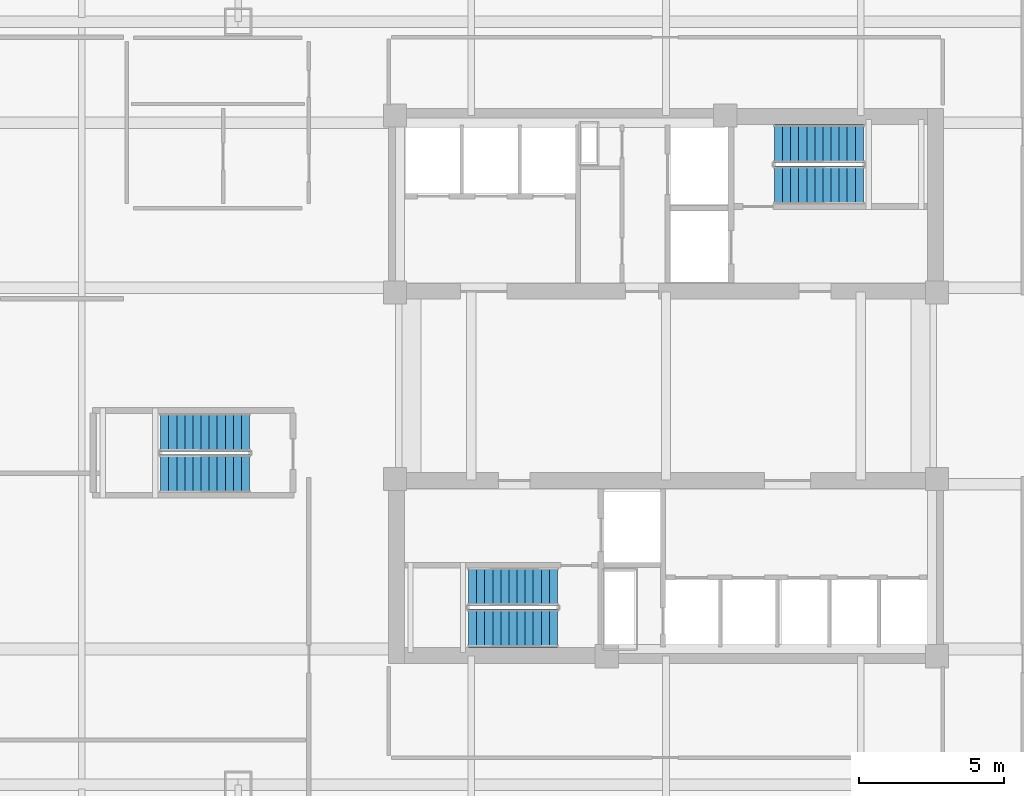
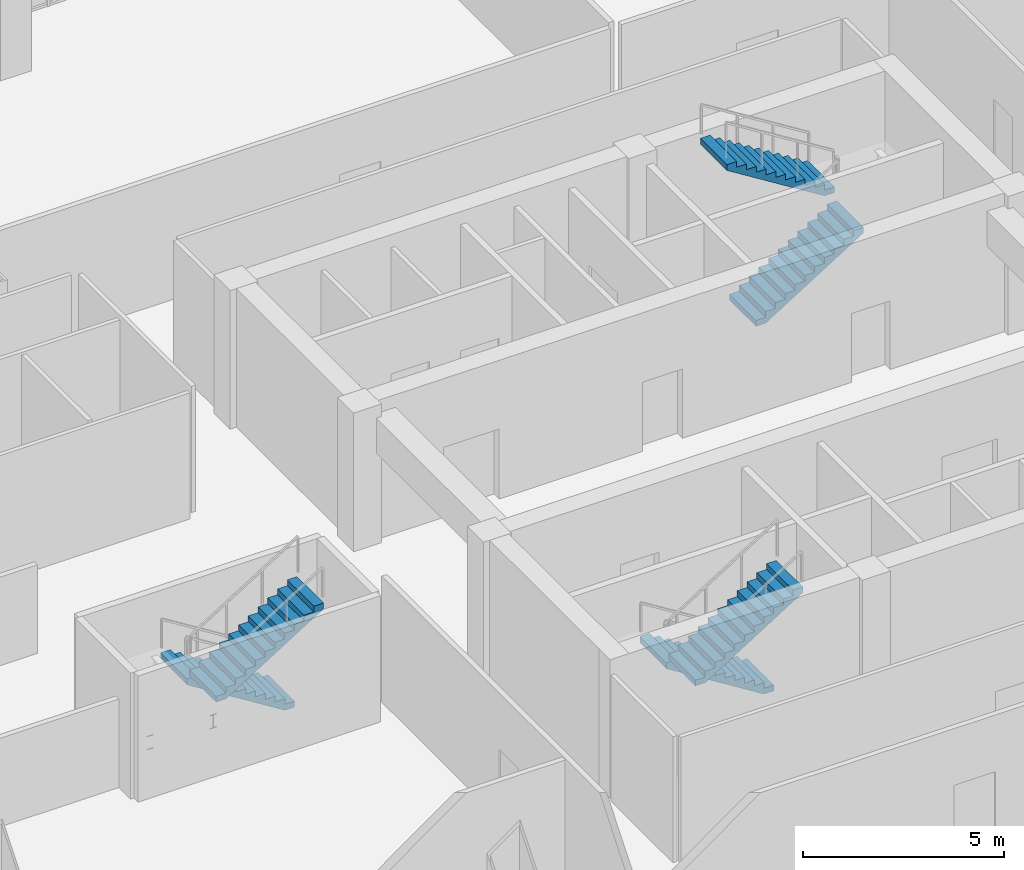
# One storey, part 15 of 21: 6 stair flights, 3 elements without a shape of their own.
"""IFC4 building model written with IfcOpenShell, lengths in metres."""

from ifc_helpers import new_model, si_unit, direction, frame, origin, place, context, subcontext, project, spatial, polyline, outline, extrude, material, type_object, element, aggregate, save


model = new_model("IFC4")

# Units and contexts
model_context = context("Model", 3, precision=1e-05, world=origin(), true_north=direction((0.0, 1.0)))
body_context = subcontext(model_context, "Body", "Model", "MODEL_VIEW")
ifc_project = project(units=[si_unit("LENGTHUNIT", "METRE"), si_unit("AREAUNIT", "SQUARE_METRE"), si_unit("VOLUMEUNIT", "CUBIC_METRE"), si_unit("PLANEANGLEUNIT", "RADIAN"), si_unit("MASSUNIT", "GRAM", prefix="KILO")], contexts=[model_context])

# Site, building, storey
site_placement = place(None, origin())
site = spatial("IfcSite", under=ifc_project, at=site_placement, CompositionType="ELEMENT")
building_placement = place(site_placement, origin())
building = spatial("IfcBuilding", under=site, at=building_placement, Name="Qhalaya Broadcast Tower", CompositionType="ELEMENT")
storey_placement = place(building_placement, frame((0.0, 0.0, 17.699951171875)))
storey = spatial("IfcBuildingStorey", under=building, at=storey_placement, Name="L04", CompositionType="ELEMENT", Elevation=17.699951171875)

# Stair, stair flights
ifc_material_1 = material(Name="Concrete C40/50", Category="concrete")
stair_type = type_object("IfcStairType", Name="Protected Dogleg Core Stair 4200", PredefinedType="TWO_STRAIGHT_RUN_STAIR", material=ifc_material_1)
stair_1_placement = place(storey_placement, origin())
stair_1 = element("IfcStair", 1, at=stair_1_placement, inside=storey, type_object=stair_type, Name="L04 North Core Exit Stair ST-1", PredefinedType="TWO_STRAIGHT_RUN_STAIR")
ifc_material_2 = material(Name="Precast Concrete C40/50", Category="concrete")
stair_flight_type = type_object("IfcStairFlightType", Name="Precast Concrete Stair Flight 4200", PredefinedType="STRAIGHT", material=ifc_material_2)
stair_flight_1_placement = place(storey_placement, frame((3.75, 7.5400390625, 0.0), z_axis=(0.0, 0.0, 1.0), x_axis=(1.0, 0.0, 0.0)))
stair_flight_1 = element("IfcStairFlight", 2, at=stair_flight_1_placement, type_object=stair_flight_type, Name="ST-1 flight 1", NumberOfRisers=12, NumberOfTreads=11, PredefinedType="STRAIGHT", RiserHeight=0.175, TreadLength=0.28, context=body_context, shape_type="SweptSolid", body=[
    extrude(outline(polyline([(0.0, 0.0), (0.0, 0.175048828125), (0.280029296875, 0.175048828125), (0.280029296875, 0.35009765625), (0.56005859375, 0.35009765625), (0.56005859375, 0.52490234375), (0.840087890625, 0.52490234375), (0.840087890625, 0.699951171875), (1.1201171875, 0.699951171875), (1.1201171875, 0.875), (1.39990234375, 0.875), (1.39990234375, 1.050048828125), (1.679931640625, 1.050048828125), (1.679931640625, 1.22509765625), (1.9599609375, 1.22509765625), (1.9599609375, 1.39990234375), (2.239990234375, 1.39990234375), (2.239990234375, 1.574951171875), (2.52001953125, 1.574951171875), (2.52001953125, 1.75), (2.800048828125, 1.75), (2.800048828125, 1.925048828125), (3.080078125, 1.925048828125), (3.080078125, 2.10009765625), (3.080078125, 1.748291015625), (0.28271484375, 0.0), (0.0, 0.0)])), frame((0.0, 0.66015625, 0.0), z_axis=(0.0, -1.0, 0.0), x_axis=(1.0, 0.0, 0.0)), (0.0, 0.0, 1.0), 1.320068359375),
])
stair_flight_2_placement = place(storey_placement, frame((6.830078125, 8.97998046875, 2.10009765625), z_axis=(0.0, 0.0, 1.0), x_axis=(-1.0, 0.0, 0.0)))
stair_flight_2 = element("IfcStairFlight", 3, at=stair_flight_2_placement, type_object=stair_flight_type, Name="ST-1 flight 2", NumberOfRisers=12, NumberOfTreads=11, PredefinedType="STRAIGHT", RiserHeight=0.175, TreadLength=0.28, context=body_context, shape_type="SweptSolid", body=[
    extrude(outline(polyline([(0.0, 0.0), (0.0, 0.175048828125), (0.280029296875, 0.175048828125), (0.280029296875, 0.35009765625), (0.56005859375, 0.35009765625), (0.56005859375, 0.52490234375), (0.840087890625, 0.52490234375), (0.840087890625, 0.699951171875), (1.1201171875, 0.699951171875), (1.1201171875, 0.875), (1.39990234375, 0.875), (1.39990234375, 1.050048828125), (1.679931640625, 1.050048828125), (1.679931640625, 1.22509765625), (1.9599609375, 1.22509765625), (1.9599609375, 1.39990234375), (2.239990234375, 1.39990234375), (2.239990234375, 1.574951171875), (2.52001953125, 1.574951171875), (2.52001953125, 1.75), (2.800048828125, 1.75), (2.800048828125, 1.925048828125), (3.080078125, 1.925048828125), (3.080078125, 2.10009765625), (3.080078125, 1.748291015625), (0.28271484375, 0.0), (0.0, 0.0)])), frame((0.0, 0.66015625, 0.0), z_axis=(0.0, -1.0, 0.0), x_axis=(1.0, 0.0, 0.0)), (0.0, 0.0, 1.0), 1.320068359375),
])
aggregate(stair_1, [stair_flight_1, stair_flight_2])

stair_2_placement = place(storey_placement, origin())
stair_2 = element("IfcStair", 4, at=stair_2_placement, inside=storey, type_object=stair_type, Name="L04 South Core Exit Stair ST-2", PredefinedType="TWO_STRAIGHT_RUN_STAIR")
stair_flight_3_placement = place(storey_placement, frame((-3.75, -6.340087890625, 0.0), z_axis=(0.0, 0.0, 1.0), x_axis=(-1.0, 0.0, 0.0)))
stair_flight_3 = element("IfcStairFlight", 5, at=stair_flight_3_placement, type_object=stair_flight_type, Name="ST-2 flight 1", NumberOfRisers=12, NumberOfTreads=11, PredefinedType="STRAIGHT", RiserHeight=0.175, TreadLength=0.28, context=body_context, shape_type="SweptSolid", body=[
    extrude(outline(polyline([(0.0, 0.0), (0.0, 0.175048828125), (0.280029296875, 0.175048828125), (0.280029296875, 0.35009765625), (0.56005859375, 0.35009765625), (0.56005859375, 0.52490234375), (0.840087890625, 0.52490234375), (0.840087890625, 0.699951171875), (1.1201171875, 0.699951171875), (1.1201171875, 0.875), (1.39990234375, 0.875), (1.39990234375, 1.050048828125), (1.679931640625, 1.050048828125), (1.679931640625, 1.22509765625), (1.9599609375, 1.22509765625), (1.9599609375, 1.39990234375), (2.239990234375, 1.39990234375), (2.239990234375, 1.574951171875), (2.52001953125, 1.574951171875), (2.52001953125, 1.75), (2.800048828125, 1.75), (2.800048828125, 1.925048828125), (3.080078125, 1.925048828125), (3.080078125, 2.10009765625), (3.080078125, 1.748291015625), (0.28271484375, 0.0), (0.0, 0.0)])), frame((0.0, 0.66015625, 0.0), z_axis=(0.0, -1.0, 0.0), x_axis=(1.0, 0.0, 0.0)), (0.0, 0.0, 1.0), 1.320068359375),
])
stair_flight_4_placement = place(storey_placement, frame((-6.830078125, -7.780029296875, 2.10009765625), z_axis=(0.0, 0.0, 1.0), x_axis=(1.0, 0.0, 0.0)))
stair_flight_4 = element("IfcStairFlight", 6, at=stair_flight_4_placement, type_object=stair_flight_type, Name="ST-2 flight 2", NumberOfRisers=12, NumberOfTreads=11, PredefinedType="STRAIGHT", RiserHeight=0.175, TreadLength=0.28, context=body_context, shape_type="SweptSolid", body=[
    extrude(outline(polyline([(0.0, 0.0), (0.0, 0.175048828125), (0.280029296875, 0.175048828125), (0.280029296875, 0.35009765625), (0.56005859375, 0.35009765625), (0.56005859375, 0.52490234375), (0.840087890625, 0.52490234375), (0.840087890625, 0.699951171875), (1.1201171875, 0.699951171875), (1.1201171875, 0.875), (1.39990234375, 0.875), (1.39990234375, 1.050048828125), (1.679931640625, 1.050048828125), (1.679931640625, 1.22509765625), (1.9599609375, 1.22509765625), (1.9599609375, 1.39990234375), (2.239990234375, 1.39990234375), (2.239990234375, 1.574951171875), (2.52001953125, 1.574951171875), (2.52001953125, 1.75), (2.800048828125, 1.75), (2.800048828125, 1.925048828125), (3.080078125, 1.925048828125), (3.080078125, 2.10009765625), (3.080078125, 1.748291015625), (0.28271484375, 0.0), (0.0, 0.0)])), frame((0.0, 0.66015625, 0.0), z_axis=(0.0, -1.0, 0.0), x_axis=(1.0, 0.0, 0.0)), (0.0, 0.0, 1.0), 1.320068359375),
])
aggregate(stair_2, [stair_flight_3, stair_flight_4])

stair_3_placement = place(storey_placement, origin())
stair_3 = element("IfcStair", 7, at=stair_3_placement, inside=storey, type_object=stair_type, Name="L04 Podium West Escape Stair ST-P1", PredefinedType="TWO_STRAIGHT_RUN_STAIR")
stair_flight_5_placement = place(storey_placement, frame((-14.39990234375, -1.0, 0.0), z_axis=(0.0, 0.0, 1.0), x_axis=(-1.0, 0.0, 0.0)))
stair_flight_5 = element("IfcStairFlight", 8, at=stair_flight_5_placement, type_object=stair_flight_type, Name="ST-P1 flight 1", NumberOfRisers=12, NumberOfTreads=11, PredefinedType="STRAIGHT", RiserHeight=0.175, TreadLength=0.28, context=body_context, shape_type="SweptSolid", body=[
    extrude(outline(polyline([(0.0, 0.0), (0.0, 0.175048828125), (0.280029296875, 0.175048828125), (0.280029296875, 0.35009765625), (0.56005859375, 0.35009765625), (0.56005859375, 0.52490234375), (0.840087890625, 0.52490234375), (0.840087890625, 0.699951171875), (1.1201171875, 0.699951171875), (1.1201171875, 0.875), (1.39990234375, 0.875), (1.39990234375, 1.050048828125), (1.679931640625, 1.050048828125), (1.679931640625, 1.22509765625), (1.9599609375, 1.22509765625), (1.9599609375, 1.39990234375), (2.239990234375, 1.39990234375), (2.239990234375, 1.574951171875), (2.52001953125, 1.574951171875), (2.52001953125, 1.75), (2.800048828125, 1.75), (2.800048828125, 1.925048828125), (3.080078125, 1.925048828125), (3.080078125, 2.10009765625), (3.080078125, 1.748291015625), (0.28271484375, 0.0), (0.0, 0.0)])), frame((0.0, 0.66015625, 0.0), z_axis=(0.0, -1.0, 0.0), x_axis=(1.0, 0.0, 0.0)), (0.0, 0.0, 1.0), 1.320068359375),
])
stair_flight_6_placement = place(storey_placement, frame((-17.47998046875, -2.43994140625, 2.10009765625), z_axis=(0.0, 0.0, 1.0), x_axis=(1.0, 0.0, 0.0)))
stair_flight_6 = element("IfcStairFlight", 9, at=stair_flight_6_placement, type_object=stair_flight_type, Name="ST-P1 flight 2", NumberOfRisers=12, NumberOfTreads=11, PredefinedType="STRAIGHT", RiserHeight=0.175, TreadLength=0.28, context=body_context, shape_type="SweptSolid", body=[
    extrude(outline(polyline([(0.0, 0.0), (0.0, 0.175048828125), (0.280029296875, 0.175048828125), (0.280029296875, 0.35009765625), (0.56005859375, 0.35009765625), (0.56005859375, 0.52490234375), (0.840087890625, 0.52490234375), (0.840087890625, 0.699951171875), (1.1201171875, 0.699951171875), (1.1201171875, 0.875), (1.39990234375, 0.875), (1.39990234375, 1.050048828125), (1.679931640625, 1.050048828125), (1.679931640625, 1.22509765625), (1.9599609375, 1.22509765625), (1.9599609375, 1.39990234375), (2.239990234375, 1.39990234375), (2.239990234375, 1.574951171875), (2.52001953125, 1.574951171875), (2.52001953125, 1.75), (2.800048828125, 1.75), (2.800048828125, 1.925048828125), (3.080078125, 1.925048828125), (3.080078125, 2.10009765625), (3.080078125, 1.748291015625), (0.28271484375, 0.0), (0.0, 0.0)])), frame((0.0, 0.66015625, 0.0), z_axis=(0.0, -1.0, 0.0), x_axis=(1.0, 0.0, 0.0)), (0.0, 0.0, 1.0), 1.320068359375),
])
aggregate(stair_3, [stair_flight_5, stair_flight_6])

save(model, "model.ifc")
